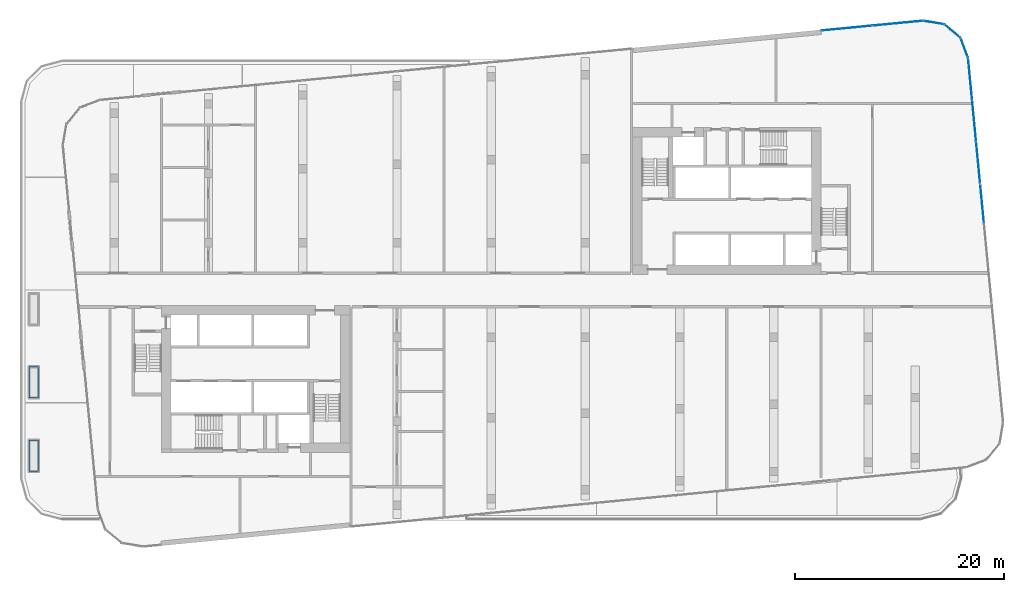
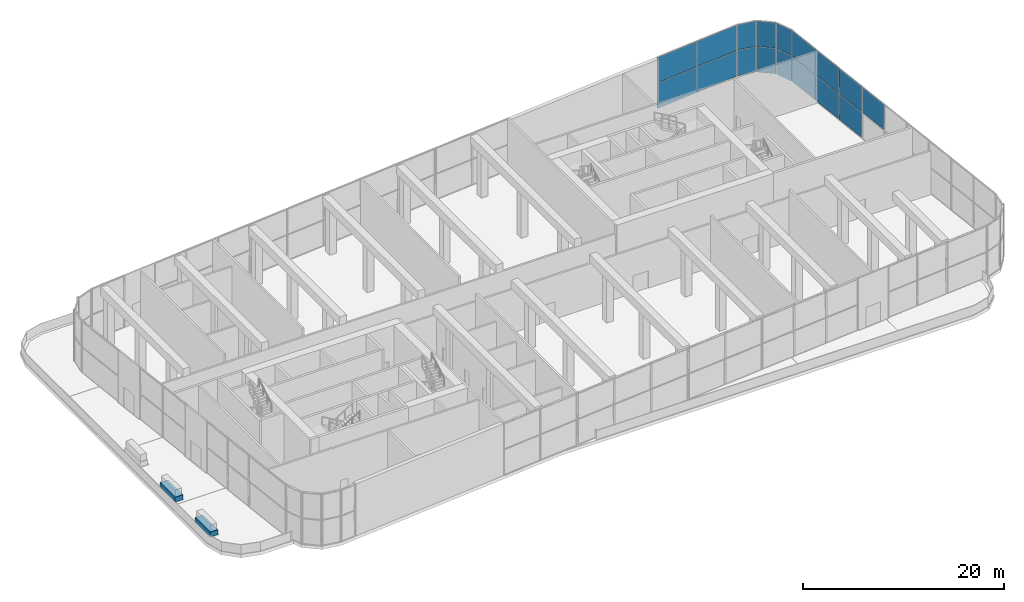
# One storey, part 11 of 25: 17 plates, 2 walls, 6 elements without a shape of their own.
"""IFC4 building model written with IfcOpenShell, lengths in metres."""

from ifc_helpers import new_model, si_unit, direction, frame, frame_2d, origin, origin_2d, place, context, subcontext, project, spatial, rectangle, extrude, material, layer, layer_set, type_object, element, aggregate, save


model = new_model("IFC4")

# Units and contexts
model_context = context("Model", 3, precision=1e-05, world=origin(), true_north=direction((0.0, 1.0)))
body_context = subcontext(model_context, "Body", "Model", "MODEL_VIEW")
ifc_project = project(units=[si_unit("LENGTHUNIT", "METRE"), si_unit("AREAUNIT", "SQUARE_METRE"), si_unit("VOLUMEUNIT", "CUBIC_METRE"), si_unit("PLANEANGLEUNIT", "RADIAN"), si_unit("MASSUNIT", "GRAM", prefix="KILO")], contexts=[model_context])

# Site, building, storey
site_placement = place(None, origin())
site = spatial("IfcSite", under=ifc_project, at=site_placement, CompositionType="ELEMENT")
building_placement = place(site_placement, origin())
building = spatial("IfcBuilding", under=site, at=building_placement, Name="Kajstack Hotel Tower", CompositionType="ELEMENT")
storey_placement = place(building_placement, frame((0.0, 0.0, 104.199951171875)))
storey = spatial("IfcBuildingStorey", under=building, at=storey_placement, Name="L22", CompositionType="ELEMENT", Elevation=104.199951171875)

# Curtain wall, plate
ifc_material_1 = material(Name="Aluminium-framed curtain wall, low-iron insulated glass", Category="aluminium")
curtain_wall_type = type_object("IfcCurtainWallType", Name="CW-GARDEN", PredefinedType="NOTDEFINED", material=ifc_material_1)
curtain_wall_1_placement = place(storey_placement, origin())
curtain_wall_1 = element("IfcCurtainWall", 1, at=curtain_wall_1_placement, inside=storey, type_object=curtain_wall_type, Name="Curtain wall CU6 L22-08-00-1", PredefinedType="NOTDEFINED")
ifc_material_2 = material(Name="Low-iron insulated glass", Category="glass")
ifc_layer_1 = layer(ifc_material_2, 0.0400390625)
ifc_layer_set_1 = layer_set([ifc_layer_1], Name="CW-P-GARDEN")
plate_type = type_object("IfcPlateType", Name="CW-P-GARDEN", PredefinedType="CURTAIN_PANEL", material=ifc_layer_set_1)
plate_1_placement = place(storey_placement, frame((46.886474609375, 8.27783203125, 3.18994140625), z_axis=(0.0, 0.0, 1.0), x_axis=(-0.095845864541, 0.995396187581, 0.0)))
plate_1 = element("IfcPlate", 2, at=plate_1_placement, type_object=plate_type, Name="CU6 panel 3.2", PredefinedType="CURTAIN_PANEL", context=body_context, shape_type="SweptSolid", body=[
    extrude(rectangle(XDim=3.7275390625, YDim=0.0400390625, at=origin_2d()), origin(), (0.0, 0.0, 1.0), 3.070068359375),
])
aggregate(curtain_wall_1, [plate_1])

# Curtain wall, plates
curtain_wall_2_placement = place(storey_placement, origin())
curtain_wall_2 = element("IfcCurtainWall", 3, at=curtain_wall_2_placement, inside=storey, type_object=curtain_wall_type, Name="Curtain wall CU6 L22-08-00-2", PredefinedType="NOTDEFINED")
plate_2_placement = place(storey_placement, frame((46.50830078125, 12.205810546875, 0.06005859375), z_axis=(0.0, 0.0, 1.0), x_axis=(-0.095845921211, 0.995396182124, 0.0)))
plate_2 = element("IfcPlate", 4, at=plate_2_placement, type_object=plate_type, Name="CU6 panel 1.1", PredefinedType="CURTAIN_PANEL", context=body_context, shape_type="SweptSolid", body=[
    extrude(rectangle(XDim=3.9248046875, YDim=0.0400390625, at=origin_2d()), origin(), (0.0, 0.0, 1.0), 3.070068359375),
])
plate_3_placement = place(storey_placement, frame((46.50830078125, 12.205810546875, 3.18994140625), z_axis=(0.0, 0.0, 1.0), x_axis=(-0.095845921211, 0.995396182124, 0.0)))
plate_3 = element("IfcPlate", 5, at=plate_3_placement, type_object=plate_type, Name="CU6 panel 1.2", PredefinedType="CURTAIN_PANEL", context=body_context, shape_type="SweptSolid", body=[
    extrude(rectangle(XDim=3.9248046875, YDim=0.0400390625, at=origin_2d()), origin(), (0.0, 0.0, 1.0), 3.070068359375),
])
plate_4_placement = place(storey_placement, frame((46.125, 16.187255859375, 0.06005859375), z_axis=(0.0, 0.0, 1.0), x_axis=(-0.095845921211, 0.995396182124, 0.0)))
plate_4 = element("IfcPlate", 6, at=plate_4_placement, type_object=plate_type, Name="CU6 panel 2.1", PredefinedType="CURTAIN_PANEL", context=body_context, shape_type="SweptSolid", body=[
    extrude(rectangle(XDim=3.95458984375, YDim=0.0400390625, at=origin_2d()), origin(), (0.0, 0.0, 1.0), 3.070068359375),
])
plate_5_placement = place(storey_placement, frame((46.125, 16.187255859375, 3.18994140625), z_axis=(0.0, 0.0, 1.0), x_axis=(-0.095845921211, 0.995396182124, 0.0)))
plate_5 = element("IfcPlate", 7, at=plate_5_placement, type_object=plate_type, Name="CU6 panel 2.2", PredefinedType="CURTAIN_PANEL", context=body_context, shape_type="SweptSolid", body=[
    extrude(rectangle(XDim=3.95458984375, YDim=0.0400390625, at=origin_2d()), origin(), (0.0, 0.0, 1.0), 3.070068359375),
])
plate_6_placement = place(storey_placement, frame((45.74169921875, 20.16845703125, 0.06005859375), z_axis=(0.0, 0.0, 1.0), x_axis=(-0.095845921211, 0.995396182124, 0.0)))
plate_6 = element("IfcPlate", 8, at=plate_6_placement, type_object=plate_type, Name="CU6 panel 3.1", PredefinedType="CURTAIN_PANEL", context=body_context, shape_type="SweptSolid", body=[
    extrude(rectangle(XDim=3.9248046875, YDim=0.0400390625, at=origin_2d()), origin(), (0.0, 0.0, 1.0), 3.070068359375),
])
plate_7_placement = place(storey_placement, frame((45.74169921875, 20.16845703125, 3.18994140625), z_axis=(0.0, 0.0, 1.0), x_axis=(-0.095845921211, 0.995396182124, 0.0)))
plate_7 = element("IfcPlate", 9, at=plate_7_placement, type_object=plate_type, Name="CU6 panel 3.2", PredefinedType="CURTAIN_PANEL", context=body_context, shape_type="SweptSolid", body=[
    extrude(rectangle(XDim=3.9248046875, YDim=0.0400390625, at=origin_2d()), origin(), (0.0, 0.0, 1.0), 3.070068359375),
])
aggregate(curtain_wall_2, [plate_2, plate_3, plate_4, plate_5, plate_6, plate_7])

curtain_wall_3_placement = place(storey_placement, origin())
curtain_wall_3 = element("IfcCurtainWall", 10, at=curtain_wall_3_placement, inside=storey, type_object=curtain_wall_type, Name="Curtain wall CU6 L22-09-00-0", PredefinedType="NOTDEFINED")
plate_8_placement = place(storey_placement, frame((45.189697265625, 23.132080078125, 0.06005859375), z_axis=(0.0, 0.0, 1.0), x_axis=(-0.350186476689, 0.936680004881, 0.0)))
plate_8 = element("IfcPlate", 11, at=plate_8_placement, type_object=plate_type, Name="CU6 panel 1.1", PredefinedType="CURTAIN_PANEL", context=body_context, shape_type="SweptSolid", body=[
    extrude(rectangle(XDim=1.95068359375, YDim=0.0400390625, at=origin_2d()), origin(), (0.0, 0.0, 1.0), 3.070068359375),
])
plate_9_placement = place(storey_placement, frame((45.189697265625, 23.132080078125, 3.18994140625), z_axis=(0.0, 0.0, 1.0), x_axis=(-0.350186476689, 0.936680004881, 0.0)))
plate_9 = element("IfcPlate", 12, at=plate_9_placement, type_object=plate_type, Name="CU6 panel 1.2", PredefinedType="CURTAIN_PANEL", context=body_context, shape_type="SweptSolid", body=[
    extrude(rectangle(XDim=1.95068359375, YDim=0.0400390625, at=origin_2d()), origin(), (0.0, 0.0, 1.0), 3.070068359375),
])
aggregate(curtain_wall_3, [plate_8, plate_9])

curtain_wall_4_placement = place(storey_placement, origin())
curtain_wall_4 = element("IfcCurtainWall", 13, at=curtain_wall_4_placement, inside=storey, type_object=curtain_wall_type, Name="Curtain wall CU6 L22-10-00-0", PredefinedType="NOTDEFINED")
plate_10_placement = place(storey_placement, frame((44.05078125, 24.728759765625, 0.06005859375), z_axis=(0.0, 0.0, 1.0), x_axis=(-0.771634596978, 0.636066072627, 0.0)))
plate_10 = element("IfcPlate", 14, at=plate_10_placement, type_object=plate_type, Name="CU6 panel 1.1", PredefinedType="CURTAIN_PANEL", context=body_context, shape_type="SweptSolid", body=[
    extrude(rectangle(XDim=1.950439453125, YDim=0.0400390625, at=origin_2d()), origin(), (0.0, 0.0, 1.0), 3.070068359375),
])
plate_11_placement = place(storey_placement, frame((44.05078125, 24.728759765625, 3.18994140625), z_axis=(0.0, 0.0, 1.0), x_axis=(-0.771634596978, 0.636066072627, 0.0)))
plate_11 = element("IfcPlate", 15, at=plate_11_placement, type_object=plate_type, Name="CU6 panel 1.2", PredefinedType="CURTAIN_PANEL", context=body_context, shape_type="SweptSolid", body=[
    extrude(rectangle(XDim=1.950439453125, YDim=0.0400390625, at=origin_2d()), origin(), (0.0, 0.0, 1.0), 3.070068359375),
])
aggregate(curtain_wall_4, [plate_10, plate_11])

curtain_wall_5_placement = place(storey_placement, origin())
curtain_wall_5 = element("IfcCurtainWall", 16, at=curtain_wall_5_placement, inside=storey, type_object=curtain_wall_type, Name="Curtain wall CU6 L22-11-00-0", PredefinedType="NOTDEFINED")
plate_12_placement = place(storey_placement, frame((42.26611328125, 25.5419921875, 0.06005859375), z_axis=(0.0, 0.0, 1.0), x_axis=(-0.986287986954, 0.16503335054, 0.0)))
plate_12 = element("IfcPlate", 17, at=plate_12_placement, type_object=plate_type, Name="CU6 panel 1.1", PredefinedType="CURTAIN_PANEL", context=body_context, shape_type="SweptSolid", body=[
    extrude(rectangle(XDim=1.950439453125, YDim=0.0400390625, at=origin_2d()), origin(), (0.0, 0.0, 1.0), 3.070068359375),
])
plate_13_placement = place(storey_placement, frame((42.26611328125, 25.5419921875, 3.18994140625), z_axis=(0.0, 0.0, 1.0), x_axis=(-0.986287986954, 0.16503335054, 0.0)))
plate_13 = element("IfcPlate", 18, at=plate_13_placement, type_object=plate_type, Name="CU6 panel 1.2", PredefinedType="CURTAIN_PANEL", context=body_context, shape_type="SweptSolid", body=[
    extrude(rectangle(XDim=1.950439453125, YDim=0.0400390625, at=origin_2d()), origin(), (0.0, 0.0, 1.0), 3.070068359375),
])
aggregate(curtain_wall_5, [plate_12, plate_13])

curtain_wall_6_placement = place(storey_placement, origin())
curtain_wall_6 = element("IfcCurtainWall", 19, at=curtain_wall_6_placement, inside=storey, type_object=curtain_wall_type, Name="Curtain wall CU6 L22-12-00-0", PredefinedType="NOTDEFINED")
plate_14_placement = place(storey_placement, frame((38.810302734375, 25.475830078125, 0.06005859375), z_axis=(0.0, 0.0, 1.0), x_axis=(-0.99539622269, -0.095845499918, 0.0)))
plate_14 = element("IfcPlate", 20, at=plate_14_placement, type_object=plate_type, Name="CU6 panel 1.1", PredefinedType="CURTAIN_PANEL", context=body_context, shape_type="SweptSolid", body=[
    extrude(rectangle(XDim=4.811279296875, YDim=0.0400390625, at=origin_2d()), origin(), (0.0, 0.0, 1.0), 3.070068359375),
])
plate_15_placement = place(storey_placement, frame((38.810302734375, 25.475830078125, 3.18994140625), z_axis=(0.0, 0.0, 1.0), x_axis=(-0.99539622269, -0.095845499918, 0.0)))
plate_15 = element("IfcPlate", 21, at=plate_15_placement, type_object=plate_type, Name="CU6 panel 1.2", PredefinedType="CURTAIN_PANEL", context=body_context, shape_type="SweptSolid", body=[
    extrude(rectangle(XDim=4.811279296875, YDim=0.0400390625, at=origin_2d()), origin(), (0.0, 0.0, 1.0), 3.070068359375),
])
plate_16_placement = place(storey_placement, frame((33.96142578125, 25.009033203125, 0.06005859375), z_axis=(0.0, 0.0, 1.0), x_axis=(-0.99539622269, -0.095845499918, 0.0)))
plate_16 = element("IfcPlate", 22, at=plate_16_placement, type_object=plate_type, Name="CU6 panel 2.1", PredefinedType="CURTAIN_PANEL", context=body_context, shape_type="SweptSolid", body=[
    extrude(rectangle(XDim=4.811279296875, YDim=0.0400390625, at=origin_2d()), origin(), (0.0, 0.0, 1.0), 3.070068359375),
])
plate_17_placement = place(storey_placement, frame((33.96142578125, 25.009033203125, 3.18994140625), z_axis=(0.0, 0.0, 1.0), x_axis=(-0.99539622269, -0.095845499918, 0.0)))
plate_17 = element("IfcPlate", 23, at=plate_17_placement, type_object=plate_type, Name="CU6 panel 2.2", PredefinedType="CURTAIN_PANEL", context=body_context, shape_type="SweptSolid", body=[
    extrude(rectangle(XDim=4.811279296875, YDim=0.0400390625, at=origin_2d()), origin(), (0.0, 0.0, 1.0), 3.070068359375),
])
aggregate(curtain_wall_6, [plate_14, plate_15, plate_16, plate_17])

# Walls
ifc_material_3 = material(Name="Concrete C30/37", Category="concrete")
ifc_layer_2 = layer(ifc_material_3, 0.89990234375)
ifc_layer_set_2 = layer_set([ifc_layer_2], Name="PLANTER-WALL")
wall_type = type_object("IfcWallType", Name="PLANTER-WALL", PredefinedType="SOLIDWALL", material=ifc_layer_set_2)
for number, where, z_axis, x_axis, name in (
    (24, (-43.699951171875, -17.328857421875, 0.0), (0.0, 0.0, 1.0), (0.0, 1.0, 0.0), "PLANTER L22-01-01"),
    (25, (-43.699951171875, -10.328857421875, 0.0), (0.0, 0.0, 1.0), (0.0, 1.0, 0.0), "PLANTER L22-01-02"),
):
    element("IfcWall", number, at=place(storey_placement, frame(where, z_axis=z_axis, x_axis=x_axis)), inside=storey, type_object=wall_type, Name=name, PredefinedType="SOLIDWALL", context=body_context, shape_type="SweptSolid", body=[
        extrude(rectangle(XDim=3.0, YDim=0.89990234375, at=frame_2d((1.5, 0.0))), origin(), (0.0, 0.0, 1.0), 0.60009765625),
    ])

save(model, "model.ifc")
